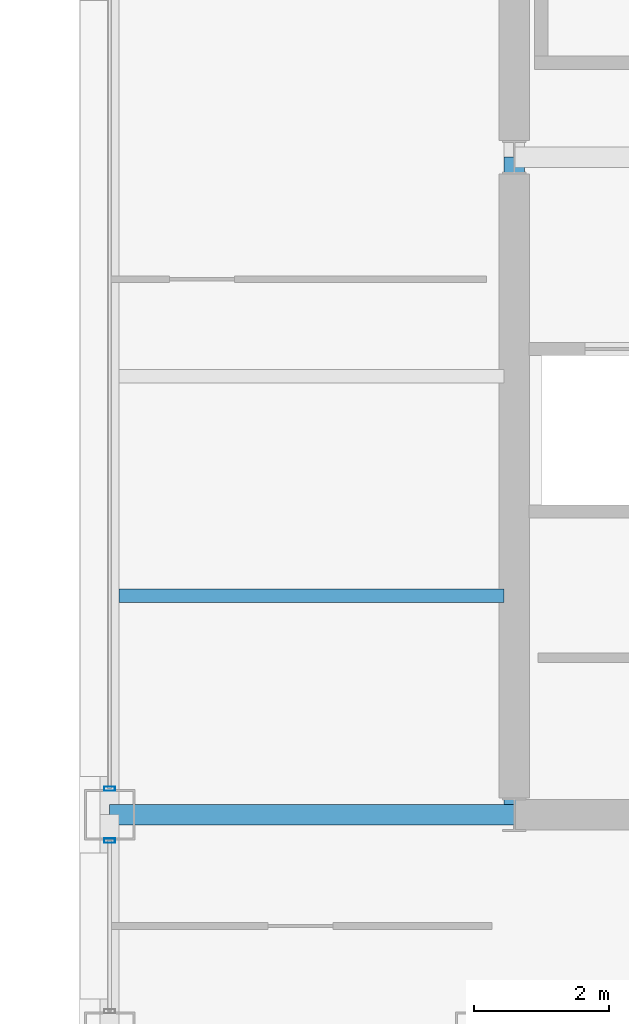
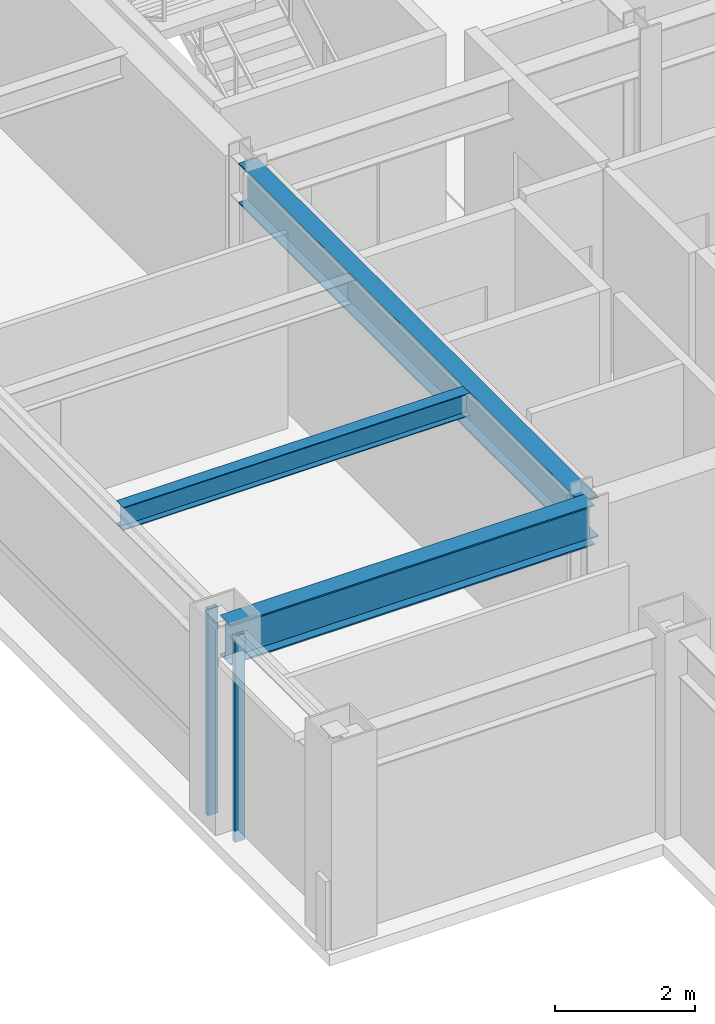
# One storey, part 4 of 28: 3 beams, 2 members, 2 elements without a shape of their own.
"""IFC4 building model written with IfcOpenShell, lengths in metres."""

from ifc_helpers import new_model, si_unit, direction, frame, origin, origin_2d, place, context, subcontext, project, spatial, hollow_rectangle, i_section, extrude, material, layer, layer_set, material_profile, profile_set, type_object, element, aggregate, save


model = new_model("IFC4")

# Units and contexts
model_context = context("Model", 3, precision=1e-05, world=origin(), true_north=direction((0.0, 1.0)))
body_context = subcontext(model_context, "Body", "Model", "MODEL_VIEW")
ifc_project = project(units=[si_unit("LENGTHUNIT", "METRE"), si_unit("AREAUNIT", "SQUARE_METRE"), si_unit("VOLUMEUNIT", "CUBIC_METRE"), si_unit("PLANEANGLEUNIT", "RADIAN"), si_unit("MASSUNIT", "GRAM", prefix="KILO")], contexts=[model_context])

# Site, building, storey
site_placement = place(None, origin())
site = spatial("IfcSite", under=ifc_project, at=site_placement, CompositionType="ELEMENT")
building_placement = place(site_placement, origin())
building = spatial("IfcBuilding", under=site, at=building_placement, Name="Brelmoor Portico Tower", CompositionType="ELEMENT")
storey_placement = place(building_placement, frame((0.0, 0.0, 165.89990234375)))
storey = spatial("IfcBuildingStorey", under=building, at=storey_placement, Name="L43", CompositionType="ELEMENT", Elevation=165.89990234375)

# Beams
ifc_material_1 = material(Name="Steel Q355B", Category="steel")
ifc_material_profile_1 = material_profile(ifc_material_1, i_section(OverallWidth=0.199951171875, OverallDepth=0.39990234375, WebThickness=0.008056640625, FlangeThickness=0.012939453125, at=origin_2d()), Name="HN 400x200x8x13")
ifc_profile_set_1 = profile_set([ifc_material_profile_1], Name="Steel Q355B")
beam_type_1 = type_object("IfcBeamType", Name="BM-JS-400", PredefinedType="JOIST", material=ifc_profile_set_1)
beam_1_placement = place(storey_placement, frame((-20.409912109375, -6.5, 3.2001953125), z_axis=(1.0, 0.0, 0.0), x_axis=(0.0, 1.0, 0.0)))
element("IfcBeam", 1, at=beam_1_placement, inside=storey, type_object=beam_type_1, Name="L43 Secondary Wing Joist JS-W05", PredefinedType="JOIST", context=body_context, shape_type="SweptSolid", body=[
    extrude(i_section(OverallWidth=0.199951171875, OverallDepth=0.39990234375, WebThickness=0.008056640625, FlangeThickness=0.012939453125, at=origin_2d()), origin(), (0.0, 0.0, 1.0), 5.7099609375),
])
ifc_material_profile_2 = material_profile(ifc_material_1, i_section(OverallWidth=0.300048828125, OverallDepth=0.699951171875, WebThickness=0.012939453125, FlangeThickness=0.02392578125, at=origin_2d()), Name="HN 700x300x13x24")
ifc_profile_set_2 = profile_set([ifc_material_profile_2], Name="Steel Q355B")
beam_type_2 = type_object("IfcBeamType", Name="BM-PG-700", PredefinedType="BEAM", material=ifc_profile_set_2)
beam_2_placement = place(storey_placement, frame((-14.550048828125, -9.75, 3.050048828125), z_axis=(0.0, 1.0, 0.0), x_axis=(-1.0, 0.0, 0.0)))
element("IfcBeam", 2, at=beam_2_placement, inside=storey, type_object=beam_type_2, Name="L43 Primary Floor Girder PG-01", PredefinedType="BEAM", context=body_context, shape_type="SweptSolid", body=[
    extrude(i_section(OverallWidth=0.300048828125, OverallDepth=0.699951171875, WebThickness=0.012939453125, FlangeThickness=0.02392578125, at=origin_2d()), origin(), (0.0, 0.0, 1.0), 9.75),
])
beam_3_placement = place(storey_placement, frame((-20.550048828125, -9.75, 3.050048828125), z_axis=(1.0, 0.0, 0.0), x_axis=(0.0, 1.0, 0.0)))
element("IfcBeam", 3, at=beam_3_placement, inside=storey, type_object=beam_type_2, Name="L43 Primary Floor Girder PG-11", PredefinedType="BEAM", context=body_context, shape_type="SweptSolid", body=[
    extrude(i_section(OverallWidth=0.300048828125, OverallDepth=0.699951171875, WebThickness=0.012939453125, FlangeThickness=0.02392578125, at=origin_2d()), origin(), (0.0, 0.0, 1.0), 6.0),
])

# Curtain wall, member
ifc_material_2 = material(Name="Anodised Aluminium Alloy 6063-T6", Category="aluminium")
ifc_layer_1 = layer(ifc_material_2, 0.179931640625)
ifc_layer_set_1 = layer_set([ifc_layer_1], Name="Anodised Aluminium Alloy 6063-T6")
curtain_wall_type_1 = type_object("IfcCurtainWallType", Name="CW-TOWER-Z3-XB", PredefinedType="NOTDEFINED", material=ifc_layer_set_1)
curtain_wall_1_placement = place(storey_placement, origin())
curtain_wall_1 = element("IfcCurtainWall", 4, at=curtain_wall_1_placement, inside=storey, type_object=curtain_wall_type_1, Name="L43 Curtain Wall CW-L43-3L-1", PredefinedType="NOTDEFINED")
ifc_material_profile_3 = material_profile(ifc_material_2, hollow_rectangle(XDim=0.06494140625, YDim=0.1650390625, WallThickness=0.00390625, at=origin_2d()), Name="ALU MULLION 65x165")
ifc_profile_set_3 = profile_set([ifc_material_profile_3], Name="Anodised Aluminium Alloy 6063-T6")
member_type = type_object("IfcMemberType", Name="MB-CW-MULL-165", PredefinedType="MULLION", material=ifc_profile_set_3)
member_1_placement = place(storey_placement, frame((-20.550048828125, -10.135009765625, -0.199951171875), z_axis=(0.0, 0.0, 1.0), x_axis=(0.0, 1.0, 0.0)))
member_1 = element("IfcMember", 5, at=member_1_placement, type_object=member_type, Name="CW-L43-3L-1 Mullion 01", PredefinedType="MULLION", context=body_context, shape_type="SweptSolid", body=[
    extrude(hollow_rectangle(XDim=0.06494140625, YDim=0.1650390625, WallThickness=0.00390625, at=origin_2d()), origin(), (0.0, 0.0, 1.0), 3.60009765625),
])
aggregate(curtain_wall_1, [member_1])

ifc_layer_2 = layer(ifc_material_2, 0.179931640625)
ifc_layer_set_2 = layer_set([ifc_layer_2], Name="Anodised Aluminium Alloy 6063-T6")
curtain_wall_type_2 = type_object("IfcCurtainWallType", Name="CW-TOWER-Z3", PredefinedType="NOTDEFINED", material=ifc_layer_set_2)
curtain_wall_2_placement = place(storey_placement, origin())
curtain_wall_2 = element("IfcCurtainWall", 6, at=curtain_wall_2_placement, inside=storey, type_object=curtain_wall_type_2, Name="L43 Curtain Wall CW-L43-3L-2", PredefinedType="NOTDEFINED")
member_2_placement = place(storey_placement, frame((-20.550048828125, -9.364990234375, -0.199951171875), z_axis=(0.0, 0.0, 1.0), x_axis=(0.0, 1.0, 0.0)))
member_2 = element("IfcMember", 7, at=member_2_placement, type_object=member_type, Name="CW-L43-3L-2 Mullion 00", PredefinedType="MULLION", context=body_context, shape_type="SweptSolid", body=[
    extrude(hollow_rectangle(XDim=0.06494140625, YDim=0.1650390625, WallThickness=0.00390625, at=origin_2d()), origin(), (0.0, 0.0, 1.0), 3.60009765625),
])
aggregate(curtain_wall_2, [member_2])

save(model, "model.ifc")
